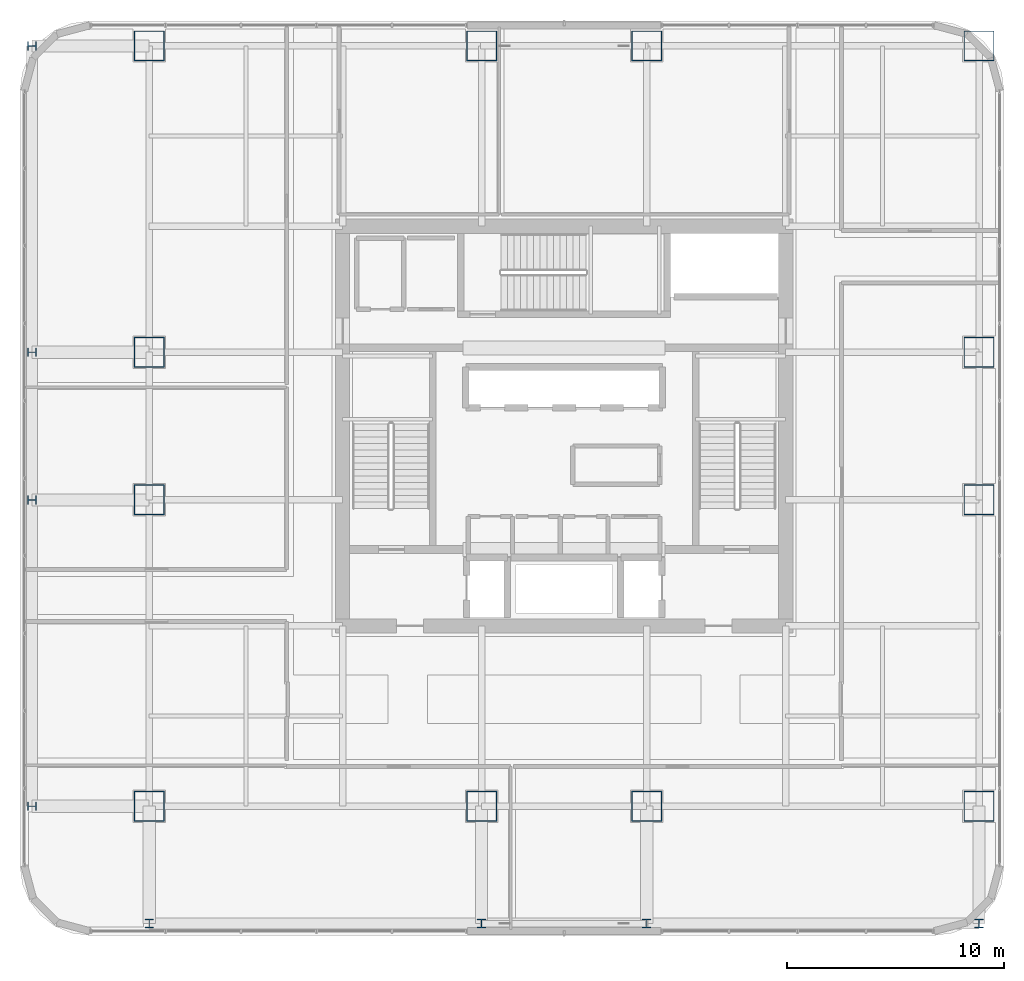
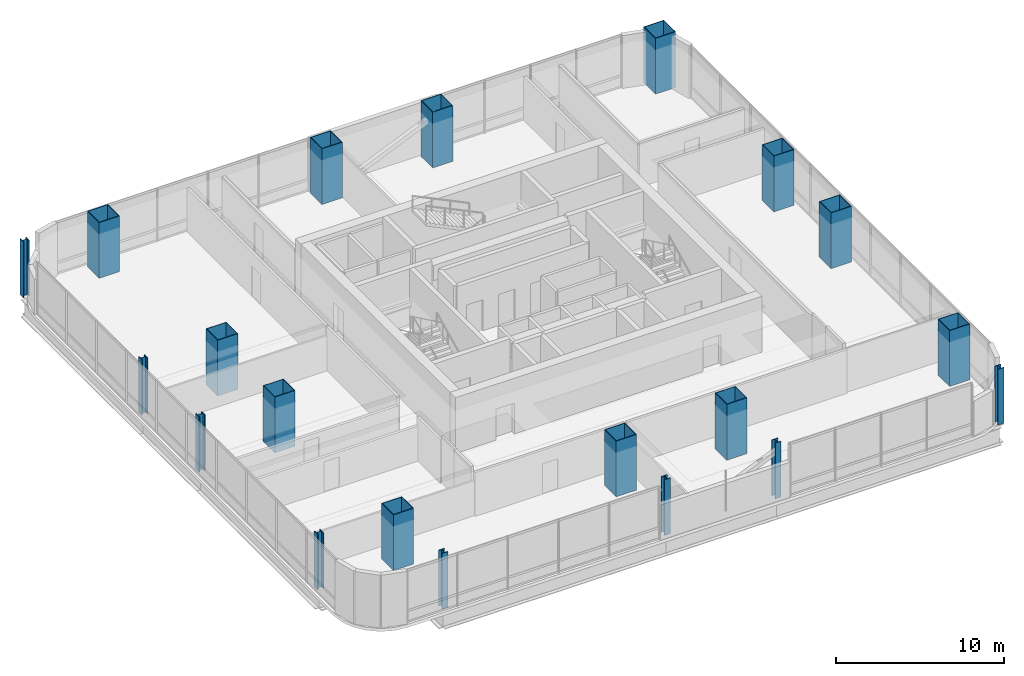
# One storey, part 1 of 38: 20 columns.
"""IFC4 building model written with IfcOpenShell, lengths in metres."""

from ifc_helpers import new_model, si_unit, direction, frame, origin, origin_2d, place, context, subcontext, project, spatial, hollow_rectangle, i_section, extrude, material, material_profile, profile_set, type_object, element, save


model = new_model("IFC4")

# Units and contexts
model_context = context("Model", 3, precision=1e-05, world=origin(), true_north=direction((0.0, 1.0)))
body_context = subcontext(model_context, "Body", "Model", "MODEL_VIEW")
ifc_project = project(units=[si_unit("LENGTHUNIT", "METRE"), si_unit("AREAUNIT", "SQUARE_METRE"), si_unit("VOLUMEUNIT", "CUBIC_METRE"), si_unit("PLANEANGLEUNIT", "RADIAN"), si_unit("MASSUNIT", "GRAM", prefix="KILO")], contexts=[model_context])

# Site, building, storey
site_placement = place(None, origin())
site = spatial("IfcSite", under=ifc_project, at=site_placement, CompositionType="ELEMENT")
building_placement = place(site_placement, origin())
building = spatial("IfcBuilding", under=site, at=building_placement, Name="Punatoya Terracotta Tower", CompositionType="ELEMENT")
storey_placement = place(building_placement, frame((0.0, 0.0, 188.39990234375)))
storey = spatial("IfcBuildingStorey", under=building, at=storey_placement, Name="L44", CompositionType="ELEMENT", Elevation=188.39990234375)

# Columns
ifc_material = material(Name="Steel S460", Category="steel")
ifc_material_profile_1 = material_profile(ifc_material, i_section(OverallWidth=0.408935546875, OverallDepth=0.425048828125, WebThickness=0.031982421875, FlangeThickness=0.052001953125, FilletRadius=0.01806640625, at=origin_2d()))
ifc_profile_set_1 = profile_set([ifc_material_profile_1], Name="Steel S460")
column_type_1 = type_object("IfcColumnType", Name="COL-EX-M2", PredefinedType="COLUMN", material=ifc_profile_set_1)
for number, where, z_axis, x_axis, name in (
    (1, (-19.10009765625, -22.89990234375, 0.0), (0.0, 0.0, 1.0), (1.0, 0.0, 0.0), "L44 Exoskeleton Perimeter Column S1"),
    (2, (-3.800048828125, -22.89990234375, 0.0), (0.0, 0.0, 1.0), (1.0, 0.0, 0.0), "L44 Exoskeleton Perimeter Column S2"),
    (3, (3.800048828125, -22.89990234375, 0.0), (0.0, 0.0, 1.0), (1.0, 0.0, 0.0), "L44 Exoskeleton Perimeter Column S3"),
    (4, (19.10009765625, -22.89990234375, 0.0), (0.0, 0.0, 1.0), (1.0, 0.0, 0.0), "L44 Exoskeleton Perimeter Column S4"),
    (5, (-24.5, -17.5, 0.0), (0.0, 0.0, 1.0), (0.0, 1.0, 0.0), "L44 Exoskeleton Perimeter Column W1"),
    (6, (-24.5, -3.39990234375, 0.0), (0.0, 0.0, 1.0), (0.0, 1.0, 0.0), "L44 Exoskeleton Perimeter Column W2"),
    (7, (-24.5, 3.39990234375, 0.0), (0.0, 0.0, 1.0), (0.0, 1.0, 0.0), "L44 Exoskeleton Perimeter Column W3"),
    (8, (-24.5, 17.5, 0.0), (0.0, 0.0, 1.0), (0.0, 1.0, 0.0), "L44 Exoskeleton Perimeter Column W4"),
):
    element("IfcColumn", number, at=place(storey_placement, frame(where, z_axis=z_axis, x_axis=x_axis)), inside=storey, type_object=column_type_1, Name=name, PredefinedType="COLUMN", context=body_context, shape_type="SweptSolid", body=[
        extrude(i_section(OverallWidth=0.408935546875, OverallDepth=0.425048828125, WebThickness=0.031982421875, FlangeThickness=0.052001953125, FilletRadius=0.01806640625, at=origin_2d()), origin(), (0.0, 0.0, 1.0), 4.048095703125),
    ])
ifc_material_profile_2 = material_profile(ifc_material, hollow_rectangle(XDim=1.39990234375, YDim=1.39990234375, WallThickness=0.0419921875, at=origin_2d()))
ifc_profile_set_2 = profile_set([ifc_material_profile_2], Name="Steel S460")
column_type_2 = type_object("IfcColumnType", Name="COL-MC-Z2", PredefinedType="COLUMN", material=ifc_profile_set_2)
for number, where, z_axis, x_axis, name in (
    (9, (-19.10009765625, -17.5, 0.0), (0.0, 0.0, 1.0), (1.0, 0.0, 0.0), "L44 Composite Mega-Column MC-01 (3-B)"),
    (10, (-3.800048828125, -17.5, 0.0), (0.0, 0.0, 1.0), (1.0, 0.0, 0.0), "L44 Composite Mega-Column MC-02 (5-B)"),
    (11, (3.800048828125, -17.5, 0.0), (0.0, 0.0, 1.0), (1.0, 0.0, 0.0), "L44 Composite Mega-Column MC-03 (7-B)"),
    (12, (19.10009765625, -17.5, 0.0), (0.0, 0.0, 1.0), (1.0, 0.0, 0.0), "L44 Composite Mega-Column MC-04 (9-B)"),
    (13, (19.10009765625, -3.39990234375, 0.0), (0.0, 0.0, 1.0), (1.0, 0.0, 0.0), "L44 Composite Mega-Column MC-05 (9-D)"),
    (14, (19.10009765625, 3.39990234375, 0.0), (0.0, 0.0, 1.0), (1.0, 0.0, 0.0), "L44 Composite Mega-Column MC-06 (9-E)"),
    (15, (19.10009765625, 17.5, 0.0), (0.0, 0.0, 1.0), (1.0, 0.0, 0.0), "L44 Composite Mega-Column MC-07 (9-G)"),
    (16, (3.800048828125, 17.5, 0.0), (0.0, 0.0, 1.0), (1.0, 0.0, 0.0), "L44 Composite Mega-Column MC-08 (7-G)"),
    (17, (-3.800048828125, 17.5, 0.0), (0.0, 0.0, 1.0), (1.0, 0.0, 0.0), "L44 Composite Mega-Column MC-09 (5-G)"),
    (18, (-19.10009765625, 17.5, 0.0), (0.0, 0.0, 1.0), (1.0, 0.0, 0.0), "L44 Composite Mega-Column MC-10 (3-G)"),
    (19, (-19.10009765625, 3.39990234375, 0.0), (0.0, 0.0, 1.0), (1.0, 0.0, 0.0), "L44 Composite Mega-Column MC-11 (3-E)"),
    (20, (-19.10009765625, -3.39990234375, 0.0), (0.0, 0.0, 1.0), (1.0, 0.0, 0.0), "L44 Composite Mega-Column MC-12 (3-D)"),
):
    element("IfcColumn", number, at=place(storey_placement, frame(where, z_axis=z_axis, x_axis=x_axis)), inside=storey, type_object=column_type_2, Name=name, PredefinedType="COLUMN", context=body_context, shape_type="SweptSolid", body=[
        extrude(hollow_rectangle(XDim=1.39990234375, YDim=1.39990234375, WallThickness=0.0419921875, at=origin_2d()), origin(), (0.0, 0.0, 1.0), 4.050048828125),
    ])

save(model, "model.ifc")
